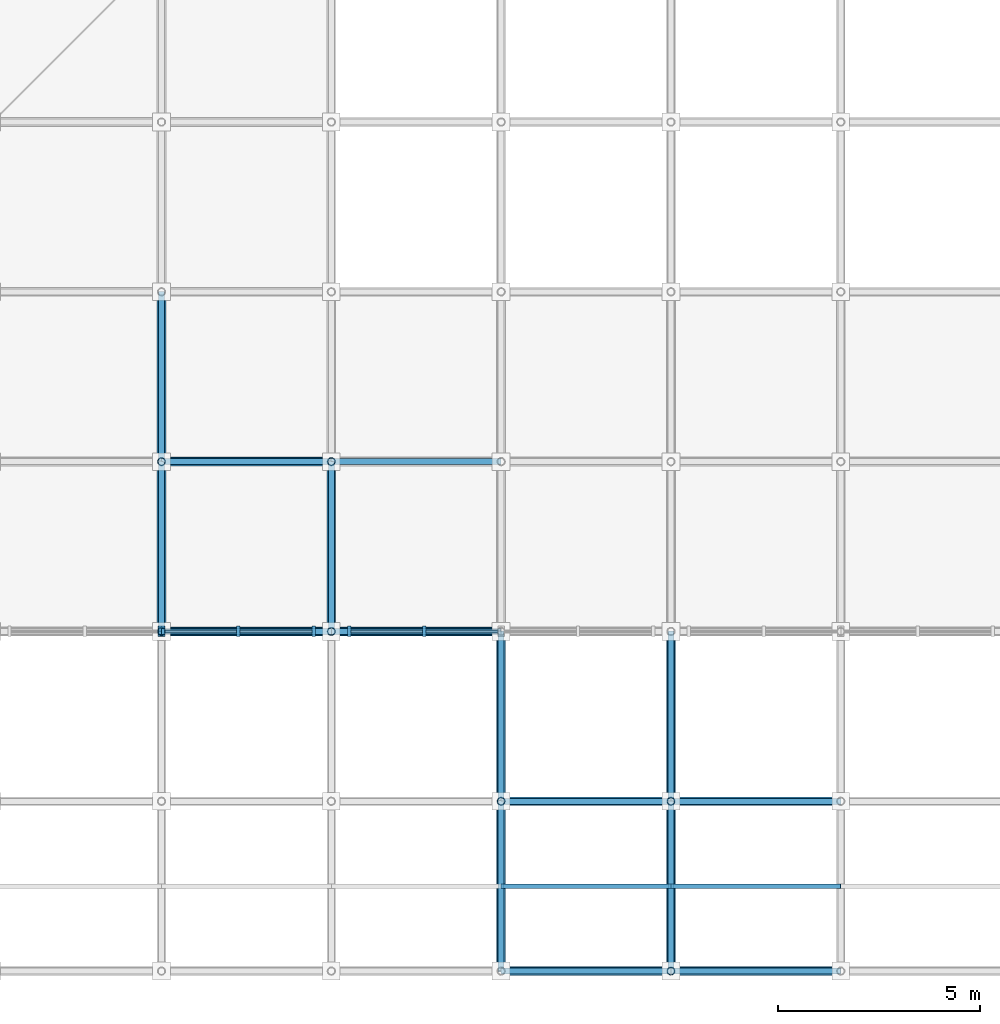
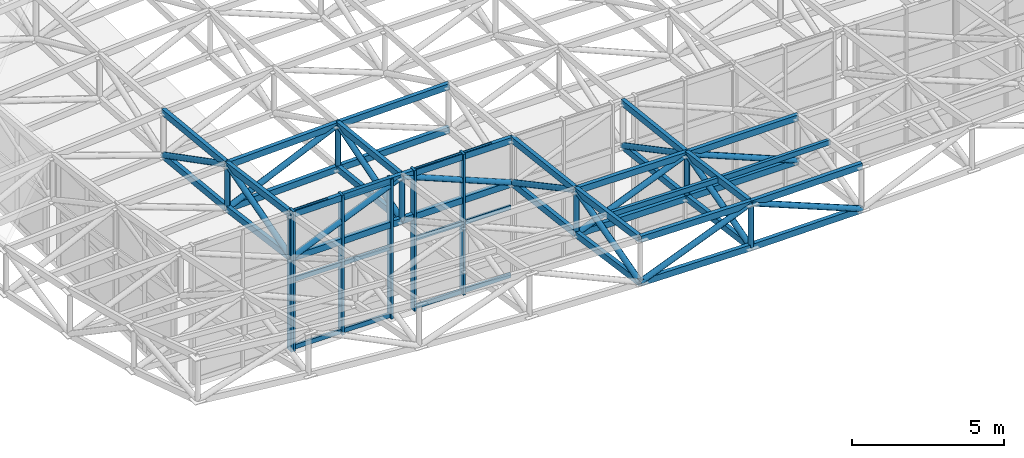
# One storey, part 15 of 132: 71 members, 3 elements without a shape of their own.
"""IFC4 building model written with IfcOpenShell, lengths in metres."""

from ifc_helpers import new_model, si_unit, direction, frame, origin, origin_2d, place, context, subcontext, project, spatial, rectangle, hollow_rectangle, hollow_circle, extrude, material, material_profile, profile_set, type_object, element, aggregate, save


model = new_model("IFC4")

# Units and contexts
model_context = context("Model", 3, precision=1e-05, world=origin(), true_north=direction((0.0, 1.0)))
body_context = subcontext(model_context, "Body", "Model", "MODEL_VIEW")
ifc_project = project(units=[si_unit("LENGTHUNIT", "METRE"), si_unit("AREAUNIT", "SQUARE_METRE"), si_unit("VOLUMEUNIT", "CUBIC_METRE"), si_unit("PLANEANGLEUNIT", "RADIAN"), si_unit("MASSUNIT", "GRAM", prefix="KILO")], contexts=[model_context])

# Site, building, storey
site_placement = place(None, origin())
site = spatial("IfcSite", under=ifc_project, at=site_placement, CompositionType="ELEMENT")
building_placement = place(site_placement, origin())
building = spatial("IfcBuilding", under=site, at=building_placement, Name="Cumbredor Promenade Congress Hotel", CompositionType="ELEMENT")
storey_placement = place(building_placement, frame((0.0, 0.0, 7.56005859375)))
storey = spatial("IfcBuildingStorey", under=building, at=storey_placement, Name="L02", CompositionType="ELEMENT", Elevation=7.56005859375)

# Curtain wall, member
ifc_material_1 = material(Name="Thermally broken anodized aluminium and low-E glass", Category="aluminium")
curtain_wall_type = type_object("IfcCurtainWallType", Name="Stepped Pavilion Clerestory Curtain Wall CW-06", PredefinedType="NOTDEFINED", material=ifc_material_1)
curtain_wall_1_placement = place(storey_placement, origin())
curtain_wall_1 = element("IfcCurtainWall", 1, at=curtain_wall_1_placement, inside=storey, type_object=curtain_wall_type, Name="Thermal Spa and Hydrotherapy Pavilion S Glazed Clerestory 1", PredefinedType="NOTDEFINED")
ifc_material_2 = material(Name="Thermally broken anodized aluminium", Category="aluminium")
ifc_material_profile_1 = material_profile(ifc_material_2, rectangle(XDim=0.0849609375, YDim=0.260009765625, at=origin_2d()), Name="ALU MULLION CLERESTORY 85x260")
ifc_profile_set_1 = profile_set([ifc_material_profile_1], Name="Thermally broken anodized aluminium")
member_type_1 = type_object("IfcMemberType", Name="Curtain Wall Mullion ML-04", PredefinedType="MULLION", material=ifc_profile_set_1)
member_1_placement = place(storey_placement, frame((79.760009765625, 8.39990234375, -0.01806640625), z_axis=(0.0, 0.0, 1.0), x_axis=(1.0, 0.0, 0.0)))
member_1 = element("IfcMember", 2, at=member_1_placement, type_object=member_type_1, Name="Thermal Spa and Hydrotherapy Pavilion S Glazed Clerestory 1 Mullion 3", PredefinedType="MULLION", context=body_context, shape_type="SweptSolid", body=[
    extrude(rectangle(XDim=0.0849609375, YDim=0.260009765625, at=origin_2d()), origin(), (0.0, 0.0, 1.0), 5.54931640625),
])
aggregate(curtain_wall_1, [member_1])

# Curtain wall, members
curtain_wall_2_placement = place(storey_placement, origin())
curtain_wall_2 = element("IfcCurtainWall", 3, at=curtain_wall_2_placement, inside=storey, type_object=curtain_wall_type, Name="Thermal Spa and Hydrotherapy Pavilion S Glazed Clerestory 2", PredefinedType="NOTDEFINED")
member_2_placement = place(storey_placement, frame((79.840087890625, 8.39990234375, -0.01806640625), z_axis=(0.0, 0.0, 1.0), x_axis=(1.0, 0.0, 0.0)))
member_2 = element("IfcMember", 4, at=member_2_placement, type_object=member_type_1, Name="Thermal Spa and Hydrotherapy Pavilion S Glazed Clerestory 2 Mullion 1", PredefinedType="MULLION", context=body_context, shape_type="SweptSolid", body=[
    extrude(rectangle(XDim=0.0849609375, YDim=0.260009765625, at=origin_2d()), origin(), (0.0, 0.0, 1.0), 5.610107421875),
])
member_3_placement = place(storey_placement, frame((81.699951171875, 8.39990234375, -0.01806640625), z_axis=(0.0, 0.0, 1.0), x_axis=(1.0, 0.0, 0.0)))
member_3 = element("IfcMember", 5, at=member_3_placement, type_object=member_type_1, Name="Thermal Spa and Hydrotherapy Pavilion S Glazed Clerestory 2 Mullion 2", PredefinedType="MULLION", context=body_context, shape_type="SweptSolid", body=[
    extrude(rectangle(XDim=0.0849609375, YDim=0.260009765625, at=origin_2d()), origin(), (0.0, 0.0, 1.0), 5.610107421875),
])
member_4_placement = place(storey_placement, frame((83.56005859375, 8.39990234375, -0.01806640625), z_axis=(0.0, 0.0, 1.0), x_axis=(1.0, 0.0, 0.0)))
member_4 = element("IfcMember", 6, at=member_4_placement, type_object=member_type_1, Name="Thermal Spa and Hydrotherapy Pavilion S Glazed Clerestory 2 Mullion 3", PredefinedType="MULLION", context=body_context, shape_type="SweptSolid", body=[
    extrude(rectangle(XDim=0.0849609375, YDim=0.260009765625, at=origin_2d()), origin(), (0.0, 0.0, 1.0), 5.610107421875),
])

curtain_wall_3_placement = place(storey_placement, origin())
curtain_wall_3 = element("IfcCurtainWall", 7, at=curtain_wall_3_placement, inside=storey, type_object=curtain_wall_type, Name="Thermal Spa and Hydrotherapy Pavilion S Glazed Clerestory 3", PredefinedType="NOTDEFINED")
member_5_placement = place(storey_placement, frame((84.43994140625, 8.39990234375, -0.01806640625), z_axis=(0.0, 0.0, 1.0), x_axis=(1.0, 0.0, 0.0)))
member_5 = element("IfcMember", 8, at=member_5_placement, type_object=member_type_1, Name="Thermal Spa and Hydrotherapy Pavilion S Glazed Clerestory 3 Mullion 1", PredefinedType="MULLION", context=body_context, shape_type="SweptSolid", body=[
    extrude(rectangle(XDim=0.0849609375, YDim=0.260009765625, at=origin_2d()), origin(), (0.0, 0.0, 1.0), 5.6533203125),
])
member_6_placement = place(storey_placement, frame((86.300048828125, 8.39990234375, -0.01806640625), z_axis=(0.0, 0.0, 1.0), x_axis=(1.0, 0.0, 0.0)))
member_6 = element("IfcMember", 9, at=member_6_placement, type_object=member_type_1, Name="Thermal Spa and Hydrotherapy Pavilion S Glazed Clerestory 3 Mullion 2", PredefinedType="MULLION", context=body_context, shape_type="SweptSolid", body=[
    extrude(rectangle(XDim=0.0849609375, YDim=0.260009765625, at=origin_2d()), origin(), (0.0, 0.0, 1.0), 5.6533203125),
])

# Member
ifc_material_profile_2 = material_profile(ifc_material_2, rectangle(XDim=0.080078125, YDim=0.179931640625, at=origin_2d()), Name="ALU TRANSOM 80x180")
ifc_profile_set_2 = profile_set([ifc_material_profile_2], Name="Thermally broken anodized aluminium")
member_type_2 = type_object("IfcMemberType", Name="Curtain Wall Transom TR-03", PredefinedType="USERDEFINED", material=ifc_profile_set_2)
member_7_placement = place(storey_placement, frame((79.882568359375, 8.39990234375, 0.079833984375), z_axis=(1.0, 0.0, 0.0), x_axis=(0.0, 1.0, 0.0)))
member_7 = element("IfcMember", 10, at=member_7_placement, type_object=member_type_2, Name="Thermal Spa and Hydrotherapy Pavilion S Glazed Clerestory 2 Transom 1.1", ObjectType="TRANSOM", PredefinedType="USERDEFINED", context=body_context, shape_type="SweptSolid", body=[
    extrude(rectangle(XDim=0.080078125, YDim=0.179931640625, at=origin_2d()), origin(), (0.0, 0.0, 1.0), 1.77490234375),
])

member_8_placement = place(storey_placement, frame((79.882568359375, 8.39990234375, 2.7900390625), z_axis=(1.0, 0.0, 0.0), x_axis=(0.0, 1.0, 0.0)))
member_8 = element("IfcMember", 11, at=member_8_placement, type_object=member_type_2, Name="Thermal Spa and Hydrotherapy Pavilion S Glazed Clerestory 2 Transom 1.2", ObjectType="TRANSOM", PredefinedType="USERDEFINED", context=body_context, shape_type="SweptSolid", body=[
    extrude(rectangle(XDim=0.080078125, YDim=0.179931640625, at=origin_2d()), origin(), (0.0, 0.0, 1.0), 1.77490234375),
])

member_9_placement = place(storey_placement, frame((79.882568359375, 8.39990234375, 5.489990234375), z_axis=(1.0, 0.0, 0.0), x_axis=(0.0, 1.0, 0.0)))
member_9 = element("IfcMember", 12, at=member_9_placement, type_object=member_type_2, Name="Thermal Spa and Hydrotherapy Pavilion S Glazed Clerestory 2 Transom 1.3", ObjectType="TRANSOM", PredefinedType="USERDEFINED", context=body_context, shape_type="SweptSolid", body=[
    extrude(rectangle(XDim=0.080078125, YDim=0.179931640625, at=origin_2d()), origin(), (0.0, 0.0, 1.0), 1.77490234375),
])

member_10_placement = place(storey_placement, frame((81.742431640625, 8.39990234375, 0.079833984375), z_axis=(1.0, 0.0, 0.0), x_axis=(0.0, 1.0, 0.0)))
member_10 = element("IfcMember", 13, at=member_10_placement, type_object=member_type_2, Name="Thermal Spa and Hydrotherapy Pavilion S Glazed Clerestory 2 Transom 2.1", ObjectType="TRANSOM", PredefinedType="USERDEFINED", context=body_context, shape_type="SweptSolid", body=[
    extrude(rectangle(XDim=0.080078125, YDim=0.179931640625, at=origin_2d()), origin(), (0.0, 0.0, 1.0), 1.775146484375),
])

member_11_placement = place(storey_placement, frame((81.742431640625, 8.39990234375, 2.7900390625), z_axis=(1.0, 0.0, 0.0), x_axis=(0.0, 1.0, 0.0)))
member_11 = element("IfcMember", 14, at=member_11_placement, type_object=member_type_2, Name="Thermal Spa and Hydrotherapy Pavilion S Glazed Clerestory 2 Transom 2.2", ObjectType="TRANSOM", PredefinedType="USERDEFINED", context=body_context, shape_type="SweptSolid", body=[
    extrude(rectangle(XDim=0.080078125, YDim=0.179931640625, at=origin_2d()), origin(), (0.0, 0.0, 1.0), 1.775146484375),
])

member_12_placement = place(storey_placement, frame((81.742431640625, 8.39990234375, 5.489990234375), z_axis=(1.0, 0.0, 0.0), x_axis=(0.0, 1.0, 0.0)))
member_12 = element("IfcMember", 15, at=member_12_placement, type_object=member_type_2, Name="Thermal Spa and Hydrotherapy Pavilion S Glazed Clerestory 2 Transom 2.3", ObjectType="TRANSOM", PredefinedType="USERDEFINED", context=body_context, shape_type="SweptSolid", body=[
    extrude(rectangle(XDim=0.080078125, YDim=0.179931640625, at=origin_2d()), origin(), (0.0, 0.0, 1.0), 1.775146484375),
])

aggregate(curtain_wall_2, [member_2, member_3, member_4, member_7, member_8, member_9, member_10, member_11, member_12])

member_13_placement = place(storey_placement, frame((84.482421875, 8.39990234375, 0.079833984375), z_axis=(1.0, 0.0, 0.0), x_axis=(0.0, 1.0, 0.0)))
member_13 = element("IfcMember", 16, at=member_13_placement, type_object=member_type_2, Name="Thermal Spa and Hydrotherapy Pavilion S Glazed Clerestory 3 Transom 1.1", ObjectType="TRANSOM", PredefinedType="USERDEFINED", context=body_context, shape_type="SweptSolid", body=[
    extrude(rectangle(XDim=0.080078125, YDim=0.179931640625, at=origin_2d()), origin(), (0.0, 0.0, 1.0), 1.775146484375),
])

member_14_placement = place(storey_placement, frame((84.482421875, 8.39990234375, 2.81005859375), z_axis=(1.0, 0.0, 0.0), x_axis=(0.0, 1.0, 0.0)))
member_14 = element("IfcMember", 17, at=member_14_placement, type_object=member_type_2, Name="Thermal Spa and Hydrotherapy Pavilion S Glazed Clerestory 3 Transom 1.2", ObjectType="TRANSOM", PredefinedType="USERDEFINED", context=body_context, shape_type="SweptSolid", body=[
    extrude(rectangle(XDim=0.080078125, YDim=0.179931640625, at=origin_2d()), origin(), (0.0, 0.0, 1.0), 1.775146484375),
])

member_15_placement = place(storey_placement, frame((84.482421875, 8.39990234375, 5.5400390625), z_axis=(1.0, 0.0, 0.0), x_axis=(0.0, 1.0, 0.0)))
member_15 = element("IfcMember", 18, at=member_15_placement, type_object=member_type_2, Name="Thermal Spa and Hydrotherapy Pavilion S Glazed Clerestory 3 Transom 1.3", ObjectType="TRANSOM", PredefinedType="USERDEFINED", context=body_context, shape_type="SweptSolid", body=[
    extrude(rectangle(XDim=0.080078125, YDim=0.179931640625, at=origin_2d()), origin(), (0.0, 0.0, 1.0), 1.775146484375),
])

member_16_placement = place(storey_placement, frame((86.342529296875, 8.39990234375, 0.079833984375), z_axis=(1.0, 0.0, 0.0), x_axis=(0.0, 1.0, 0.0)))
member_16 = element("IfcMember", 19, at=member_16_placement, type_object=member_type_2, Name="Thermal Spa and Hydrotherapy Pavilion S Glazed Clerestory 3 Transom 2.1", ObjectType="TRANSOM", PredefinedType="USERDEFINED", context=body_context, shape_type="SweptSolid", body=[
    extrude(rectangle(XDim=0.080078125, YDim=0.179931640625, at=origin_2d()), origin(), (0.0, 0.0, 1.0), 1.77490234375),
])

member_17_placement = place(storey_placement, frame((86.342529296875, 8.39990234375, 2.81005859375), z_axis=(1.0, 0.0, 0.0), x_axis=(0.0, 1.0, 0.0)))
member_17 = element("IfcMember", 20, at=member_17_placement, type_object=member_type_2, Name="Thermal Spa and Hydrotherapy Pavilion S Glazed Clerestory 3 Transom 2.2", ObjectType="TRANSOM", PredefinedType="USERDEFINED", context=body_context, shape_type="SweptSolid", body=[
    extrude(rectangle(XDim=0.080078125, YDim=0.179931640625, at=origin_2d()), origin(), (0.0, 0.0, 1.0), 1.77490234375),
])

member_18_placement = place(storey_placement, frame((86.342529296875, 8.39990234375, 5.5400390625), z_axis=(1.0, 0.0, 0.0), x_axis=(0.0, 1.0, 0.0)))
member_18 = element("IfcMember", 21, at=member_18_placement, type_object=member_type_2, Name="Thermal Spa and Hydrotherapy Pavilion S Glazed Clerestory 3 Transom 2.3", ObjectType="TRANSOM", PredefinedType="USERDEFINED", context=body_context, shape_type="SweptSolid", body=[
    extrude(rectangle(XDim=0.080078125, YDim=0.179931640625, at=origin_2d()), origin(), (0.0, 0.0, 1.0), 1.77490234375),
])

aggregate(curtain_wall_3, [member_5, member_6, member_13, member_14, member_15, member_16, member_17, member_18])

# Members
ifc_material_3 = material(Name="Steel ASTM A500 Grade C", Category="steel")
ifc_material_profile_3 = material_profile(ifc_material_3, hollow_rectangle(XDim=0.1201171875, YDim=0.199951171875, WallThickness=0.010009765625, at=origin_2d()), Name="HSS 200x120x10")
ifc_profile_set_3 = profile_set([ifc_material_profile_3], Name="Steel ASTM A500 Grade C")
member_type_3 = type_object("IfcMemberType", Name="Roof Purlin HSS200x120", PredefinedType="PURLIN", material=ifc_profile_set_3)
member_19_placement = place(storey_placement, frame((88.199951171875, 2.10009765625, 6.28759765625), z_axis=(0.999971007522, 0.0, -0.007614730104), x_axis=(0.0, 1.0, 0.0)))
element("IfcMember", 22, at=member_19_placement, inside=storey, type_object=member_type_3, Name="Thermal Spa and Hydrotherapy Pavilion Roof Eave Purlin 5.1", PredefinedType="PURLIN", context=body_context, shape_type="SweptSolid", body=[
    extrude(hollow_rectangle(XDim=0.1201171875, YDim=0.199951171875, WallThickness=0.010009765625, at=origin_2d()), origin(), (0.0, 0.0, 1.0), 4.199951171875),
])
member_20_placement = place(storey_placement, frame((92.39990234375, 2.10009765625, 6.255615234375), z_axis=(0.999971010893, 0.0, 0.007614287516), x_axis=(0.0, 1.0, 0.0)))
element("IfcMember", 23, at=member_20_placement, inside=storey, type_object=member_type_3, Name="Thermal Spa and Hydrotherapy Pavilion Roof Eave Purlin 6.1", PredefinedType="PURLIN", context=body_context, shape_type="SweptSolid", body=[
    extrude(hollow_rectangle(XDim=0.1201171875, YDim=0.199951171875, WallThickness=0.010009765625, at=origin_2d()), origin(), (0.0, 0.0, 1.0), 4.2001953125),
])
ifc_material_profile_4 = material_profile(ifc_material_3, hollow_rectangle(XDim=0.14990234375, YDim=0.25, WallThickness=0.012451171875, at=origin_2d()), Name="HSS 250x150x12.5")
ifc_profile_set_4 = profile_set([ifc_material_profile_4], Name="Steel ASTM A500 Grade C")
member_type_4 = type_object("IfcMemberType", Name="Spa Roof Space Frame Chord", PredefinedType="CHORD", material=ifc_profile_set_4)
for number, where, z_axis, x_axis, name in (
    (24, (88.199951171875, 0.0, 6.607421875), (0.999935762445, 0.0, -0.011334504079), (0.0, 1.0, 0.0), "Thermal Spa and Hydrotherapy Pavilion X Top Chord 5.1"),
    (25, (88.199951171875, 0.0, 4.857421875), (0.999935762445, 0.0, -0.011334504079), (0.0, 1.0, 0.0), "Thermal Spa and Hydrotherapy Pavilion X Bottom Chord 5.1"),
):
    element("IfcMember", number, at=place(storey_placement, frame(where, z_axis=z_axis, x_axis=x_axis)), inside=storey, type_object=member_type_4, Name=name, PredefinedType="CHORD", context=body_context, shape_type="SweptSolid", body=[
        extrude(hollow_rectangle(XDim=0.14990234375, YDim=0.25, WallThickness=0.012451171875, at=origin_2d()), origin(), (0.0, 0.0, 1.0), 4.2001953125),
    ])
for number, where, z_axis, x_axis, name in (
    (26, (92.39990234375, 0.0, 6.559814453125), (0.999935769912, 0.0, 0.011333845334), (0.0, 1.0, 0.0), "Thermal Spa and Hydrotherapy Pavilion X Top Chord 6.1"),
    (27, (92.39990234375, 0.0, 4.809814453125), (0.999935769912, 0.0, 0.011333845334), (0.0, 1.0, 0.0), "Thermal Spa and Hydrotherapy Pavilion X Bottom Chord 6.1"),
):
    element("IfcMember", number, at=place(storey_placement, frame(where, z_axis=z_axis, x_axis=x_axis)), inside=storey, type_object=member_type_4, Name=name, PredefinedType="CHORD", context=body_context, shape_type="SweptSolid", body=[
        extrude(hollow_rectangle(XDim=0.14990234375, YDim=0.25, WallThickness=0.012451171875, at=origin_2d()), origin(), (0.0, 0.0, 1.0), 4.200439453125),
    ])
for number, where, z_axis, x_axis, name in (
    (28, (88.199951171875, 4.199951171875, 6.008056640625), (0.999992187782, 0.0, -0.00395276805), (0.0, 1.0, 0.0), "Thermal Spa and Hydrotherapy Pavilion X Top Chord 5.2"),
    (29, (88.199951171875, 4.199951171875, 4.258056640625), (0.999992187782, 0.0, -0.00395276805), (0.0, 1.0, 0.0), "Thermal Spa and Hydrotherapy Pavilion X Bottom Chord 5.2"),
):
    element("IfcMember", number, at=place(storey_placement, frame(where, z_axis=z_axis, x_axis=x_axis)), inside=storey, type_object=member_type_4, Name=name, PredefinedType="CHORD", context=body_context, shape_type="SweptSolid", body=[
        extrude(hollow_rectangle(XDim=0.14990234375, YDim=0.25, WallThickness=0.012451171875, at=origin_2d()), origin(), (0.0, 0.0, 1.0), 4.199951171875),
    ])
for number, where, z_axis, x_axis, name in (
    (30, (92.39990234375, 4.199951171875, 5.991455078125), (0.99999218869, 0.0, 0.003952538295), (0.0, 1.0, 0.0), "Thermal Spa and Hydrotherapy Pavilion X Top Chord 6.2"),
    (31, (92.39990234375, 4.199951171875, 4.241455078125), (0.99999218869, 0.0, 0.003952538295), (0.0, 1.0, 0.0), "Thermal Spa and Hydrotherapy Pavilion X Bottom Chord 6.2"),
    (32, (79.800048828125, 8.39990234375, 5.44091796875), (0.999947073439, 0.0, 0.010288358542), (0.0, 1.0, 0.0), "Thermal Spa and Hydrotherapy Pavilion X Top Chord 3.3"),
    (33, (79.800048828125, 8.39990234375, 3.69091796875), (0.999947073439, 0.0, 0.010288358542), (0.0, 1.0, 0.0), "Thermal Spa and Hydrotherapy Pavilion X Bottom Chord 3.3"),
):
    element("IfcMember", number, at=place(storey_placement, frame(where, z_axis=z_axis, x_axis=x_axis)), inside=storey, type_object=member_type_4, Name=name, PredefinedType="CHORD", context=body_context, shape_type="SweptSolid", body=[
        extrude(hollow_rectangle(XDim=0.14990234375, YDim=0.25, WallThickness=0.012451171875, at=origin_2d()), origin(), (0.0, 0.0, 1.0), 4.2001953125),
    ])
for number, where, z_axis, x_axis, name in (
    (34, (84.0, 8.39990234375, 5.484130859375), (0.999981017169, 0.0, 0.006161599013), (0.0, 1.0, 0.0), "Thermal Spa and Hydrotherapy Pavilion X Top Chord 4.3"),
    (35, (84.0, 8.39990234375, 3.734130859375), (0.999981017169, 0.0, 0.006161599013), (0.0, 1.0, 0.0), "Thermal Spa and Hydrotherapy Pavilion X Bottom Chord 4.3"),
):
    element("IfcMember", number, at=place(storey_placement, frame(where, z_axis=z_axis, x_axis=x_axis)), inside=storey, type_object=member_type_4, Name=name, PredefinedType="CHORD", context=body_context, shape_type="SweptSolid", body=[
        extrude(hollow_rectangle(XDim=0.14990234375, YDim=0.25, WallThickness=0.012451171875, at=origin_2d()), origin(), (0.0, 0.0, 1.0), 4.199951171875),
    ])
for number, where, z_axis, x_axis, name in (
    (36, (79.800048828125, 12.60009765625, 4.8798828125), (0.999406413259, 0.0, 0.03445027048), (0.0, 1.0, 0.0), "Thermal Spa and Hydrotherapy Pavilion X Top Chord 3.4"),
    (37, (79.800048828125, 12.60009765625, 3.1298828125), (0.999406413259, 0.0, 0.03445027048), (0.0, 1.0, 0.0), "Thermal Spa and Hydrotherapy Pavilion X Bottom Chord 3.4"),
):
    element("IfcMember", number, at=place(storey_placement, frame(where, z_axis=z_axis, x_axis=x_axis)), inside=storey, type_object=member_type_4, Name=name, PredefinedType="CHORD", context=body_context, shape_type="SweptSolid", body=[
        extrude(hollow_rectangle(XDim=0.14990234375, YDim=0.25, WallThickness=0.012451171875, at=origin_2d()), origin(), (0.0, 0.0, 1.0), 4.202392578125),
    ])
for number, where, z_axis, x_axis, name in (
    (38, (84.0, 12.60009765625, 5.024658203125), (0.999785946585, 0.0, 0.020689635353), (0.0, 1.0, 0.0), "Thermal Spa and Hydrotherapy Pavilion X Top Chord 4.4"),
    (39, (84.0, 12.60009765625, 3.274658203125), (0.999785946585, 0.0, 0.020689635353), (0.0, 1.0, 0.0), "Thermal Spa and Hydrotherapy Pavilion X Bottom Chord 4.4"),
):
    element("IfcMember", number, at=place(storey_placement, frame(where, z_axis=z_axis, x_axis=x_axis)), inside=storey, type_object=member_type_4, Name=name, PredefinedType="CHORD", context=body_context, shape_type="SweptSolid", body=[
        extrude(hollow_rectangle(XDim=0.14990234375, YDim=0.25, WallThickness=0.012451171875, at=origin_2d()), origin(), (0.0, 0.0, 1.0), 4.200927734375),
    ])
for number, where, z_axis, x_axis, name in (
    (40, (79.800048828125, 8.39990234375, 5.44091796875), (0.0, 0.991196675796, -0.132397695942), (-1.0, 0.0, 0.0), "Thermal Spa and Hydrotherapy Pavilion Y Top Chord 3.3"),
    (41, (79.800048828125, 8.39990234375, 3.69091796875), (0.0, 0.991196675796, -0.132397695942), (-1.0, 0.0, 0.0), "Thermal Spa and Hydrotherapy Pavilion Y Bottom Chord 3.3"),
):
    element("IfcMember", number, at=place(storey_placement, frame(where, z_axis=z_axis, x_axis=x_axis)), inside=storey, type_object=member_type_4, Name=name, PredefinedType="CHORD", context=body_context, shape_type="SweptSolid", body=[
        extrude(hollow_rectangle(XDim=0.14990234375, YDim=0.25, WallThickness=0.012451171875, at=origin_2d()), origin(), (0.0, 0.0, 1.0), 4.237548828125),
    ])
for number, where, z_axis, x_axis, name in (
    (42, (79.800048828125, 12.60009765625, 4.8798828125), (0.0, 0.995015978857, -0.099715604694), (-1.0, 0.0, 0.0), "Thermal Spa and Hydrotherapy Pavilion Y Top Chord 3.4"),
    (43, (79.800048828125, 12.60009765625, 3.1298828125), (0.0, 0.995015978857, -0.099715604694), (-1.0, 0.0, 0.0), "Thermal Spa and Hydrotherapy Pavilion Y Bottom Chord 3.4"),
):
    element("IfcMember", number, at=place(storey_placement, frame(where, z_axis=z_axis, x_axis=x_axis)), inside=storey, type_object=member_type_4, Name=name, PredefinedType="CHORD", context=body_context, shape_type="SweptSolid", body=[
        extrude(hollow_rectangle(XDim=0.14990234375, YDim=0.25, WallThickness=0.012451171875, at=origin_2d()), origin(), (0.0, 0.0, 1.0), 4.220947265625),
    ])
for number, where, z_axis, x_axis, name in (
    (44, (84.0, 8.39990234375, 5.484130859375), (0.0, 0.994069739994, -0.108744434473), (-1.0, 0.0, 0.0), "Thermal Spa and Hydrotherapy Pavilion Y Top Chord 4.3"),
    (45, (84.0, 8.39990234375, 3.734130859375), (0.0, 0.994069739994, -0.108744434473), (-1.0, 0.0, 0.0), "Thermal Spa and Hydrotherapy Pavilion Y Bottom Chord 4.3"),
):
    element("IfcMember", number, at=place(storey_placement, frame(where, z_axis=z_axis, x_axis=x_axis)), inside=storey, type_object=member_type_4, Name=name, PredefinedType="CHORD", context=body_context, shape_type="SweptSolid", body=[
        extrude(hollow_rectangle(XDim=0.14990234375, YDim=0.25, WallThickness=0.012451171875, at=origin_2d()), origin(), (0.0, 0.0, 1.0), 4.225341796875),
    ])
for number, where, z_axis, x_axis, name in (
    (46, (88.199951171875, 0.0, 6.607421875), (0.0, 0.989970199733, -0.141276337868), (-1.0, 0.0, 0.0), "Thermal Spa and Hydrotherapy Pavilion Y Top Chord 5.1"),
    (47, (88.199951171875, 0.0, 4.857421875), (0.0, 0.989970199733, -0.141276337868), (-1.0, 0.0, 0.0), "Thermal Spa and Hydrotherapy Pavilion Y Bottom Chord 5.1"),
):
    element("IfcMember", number, at=place(storey_placement, frame(where, z_axis=z_axis, x_axis=x_axis)), inside=storey, type_object=member_type_4, Name=name, PredefinedType="CHORD", context=body_context, shape_type="SweptSolid", body=[
        extrude(hollow_rectangle(XDim=0.14990234375, YDim=0.25, WallThickness=0.012451171875, at=origin_2d()), origin(), (0.0, 0.0, 1.0), 4.242431640625),
    ])
for number, where, z_axis, x_axis, name in (
    (48, (88.199951171875, 4.199951171875, 6.008056640625), (0.0, 0.993042216965, -0.117758886392), (-1.0, 0.0, 0.0), "Thermal Spa and Hydrotherapy Pavilion Y Top Chord 5.2"),
    (49, (88.199951171875, 4.199951171875, 4.258056640625), (0.0, 0.993042216965, -0.117758886392), (-1.0, 0.0, 0.0), "Thermal Spa and Hydrotherapy Pavilion Y Bottom Chord 5.2"),
):
    element("IfcMember", number, at=place(storey_placement, frame(where, z_axis=z_axis, x_axis=x_axis)), inside=storey, type_object=member_type_4, Name=name, PredefinedType="CHORD", context=body_context, shape_type="SweptSolid", body=[
        extrude(hollow_rectangle(XDim=0.14990234375, YDim=0.25, WallThickness=0.012451171875, at=origin_2d()), origin(), (0.0, 0.0, 1.0), 4.2294921875),
    ])
for number, where, z_axis, x_axis, name in (
    (50, (92.39990234375, 0.0, 6.559814453125), (0.0, 0.990967412694, -0.13410289698), (-1.0, 0.0, 0.0), "Thermal Spa and Hydrotherapy Pavilion Y Top Chord 6.1"),
    (51, (92.39990234375, 0.0, 4.809814453125), (0.0, 0.990967412694, -0.13410289698), (-1.0, 0.0, 0.0), "Thermal Spa and Hydrotherapy Pavilion Y Bottom Chord 6.1"),
):
    element("IfcMember", number, at=place(storey_placement, frame(where, z_axis=z_axis, x_axis=x_axis)), inside=storey, type_object=member_type_4, Name=name, PredefinedType="CHORD", context=body_context, shape_type="SweptSolid", body=[
        extrude(hollow_rectangle(XDim=0.14990234375, YDim=0.25, WallThickness=0.012451171875, at=origin_2d()), origin(), (0.0, 0.0, 1.0), 4.23828125),
    ])
for number, where, z_axis, x_axis, name in (
    (52, (92.39990234375, 4.199951171875, 5.991455078125), (0.0, 0.993727063969, -0.111832563846), (-1.0, 0.0, 0.0), "Thermal Spa and Hydrotherapy Pavilion Y Top Chord 6.2"),
    (53, (92.39990234375, 4.199951171875, 4.241455078125), (0.0, 0.993727063969, -0.111832563846), (-1.0, 0.0, 0.0), "Thermal Spa and Hydrotherapy Pavilion Y Bottom Chord 6.2"),
):
    element("IfcMember", number, at=place(storey_placement, frame(where, z_axis=z_axis, x_axis=x_axis)), inside=storey, type_object=member_type_4, Name=name, PredefinedType="CHORD", context=body_context, shape_type="SweptSolid", body=[
        extrude(hollow_rectangle(XDim=0.14990234375, YDim=0.25, WallThickness=0.012451171875, at=origin_2d()), origin(), (0.0, 0.0, 1.0), 4.2265625),
    ])
ifc_material_profile_5 = material_profile(ifc_material_3, hollow_circle(Radius=0.109619140625, WallThickness=0.012451171875, at=origin_2d()), Name="CHS 219.1x12.5")
ifc_profile_set_5 = profile_set([ifc_material_profile_5], Name="Steel ASTM A500 Grade C")
member_type_5 = type_object("IfcMemberType", Name="Space Frame Web Diagonal D1", PredefinedType="BRACE", material=ifc_profile_set_5)
member_21_placement = place(storey_placement, frame((88.199951171875, 0.0, 4.857421875), z_axis=(0.926761572474, 0.0, 0.375650086896), x_axis=(0.0, 1.0, 0.0)))
element("IfcMember", 54, at=member_21_placement, inside=storey, type_object=member_type_5, Name="Thermal Spa and Hydrotherapy Pavilion X Web Diagonal 5.1", PredefinedType="BRACE", context=body_context, shape_type="SweptSolid", body=[
    extrude(hollow_circle(Radius=0.109619140625, WallThickness=0.012451171875, at=origin_2d()), origin(), (0.0, 0.0, 1.0), 4.53173828125),
])
member_22_placement = place(storey_placement, frame((92.39990234375, 0.0, 6.559814453125), z_axis=(0.926769173957, 0.0, -0.37563133283), x_axis=(0.0, 1.0, 0.0)))
element("IfcMember", 55, at=member_22_placement, inside=storey, type_object=member_type_5, Name="Thermal Spa and Hydrotherapy Pavilion X Web Diagonal 6.1", PredefinedType="BRACE", context=body_context, shape_type="SweptSolid", body=[
    extrude(hollow_circle(Radius=0.109619140625, WallThickness=0.012451171875, at=origin_2d()), origin(), (0.0, 0.0, 1.0), 4.531982421875),
])
for number, where, z_axis, x_axis, name in (
    (56, (88.199951171875, 4.199951171875, 4.258056640625), (0.924367316555, 0.0, 0.381503688167), (0.0, 1.0, 0.0), "Thermal Spa and Hydrotherapy Pavilion X Web Diagonal 5.2"),
    (57, (92.39990234375, 4.199951171875, 5.991455078125), (0.924375136533, 0.0, -0.381484740141), (0.0, 1.0, 0.0), "Thermal Spa and Hydrotherapy Pavilion X Web Diagonal 6.2"),
):
    element("IfcMember", number, at=place(storey_placement, frame(where, z_axis=z_axis, x_axis=x_axis)), inside=storey, type_object=member_type_5, Name=name, PredefinedType="BRACE", context=body_context, shape_type="SweptSolid", body=[
        extrude(hollow_circle(Radius=0.109619140625, WallThickness=0.012451171875, at=origin_2d()), origin(), (0.0, 0.0, 1.0), 4.543701171875),
    ])
member_23_placement = place(storey_placement, frame((79.800048828125, 8.39990234375, 3.69091796875), z_axis=(0.91968062597, 0.0, 0.392667220703), x_axis=(0.0, 1.0, 0.0)))
element("IfcMember", 58, at=member_23_placement, inside=storey, type_object=member_type_5, Name="Thermal Spa and Hydrotherapy Pavilion X Web Diagonal 3.3", PredefinedType="BRACE", context=body_context, shape_type="SweptSolid", body=[
    extrude(hollow_circle(Radius=0.109619140625, WallThickness=0.012451171875, at=origin_2d()), origin(), (0.0, 0.0, 1.0), 4.566650390625),
])
member_24_placement = place(storey_placement, frame((84.0, 8.39990234375, 5.484130859375), z_axis=(0.925086285307, 0.0, -0.379756981157), x_axis=(0.0, 1.0, 0.0)))
element("IfcMember", 59, at=member_24_placement, inside=storey, type_object=member_type_5, Name="Thermal Spa and Hydrotherapy Pavilion X Web Diagonal 4.3", PredefinedType="BRACE", context=body_context, shape_type="SweptSolid", body=[
    extrude(hollow_circle(Radius=0.109619140625, WallThickness=0.012451171875, at=origin_2d()), origin(), (0.0, 0.0, 1.0), 4.5400390625),
])
member_25_placement = place(storey_placement, frame((79.800048828125, 12.60009765625, 3.1298828125), z_axis=(0.911531459571, 0.0, 0.411230346901), x_axis=(0.0, 1.0, 0.0)))
element("IfcMember", 60, at=member_25_placement, inside=storey, type_object=member_type_5, Name="Thermal Spa and Hydrotherapy Pavilion X Web Diagonal 3.4", PredefinedType="BRACE", context=body_context, shape_type="SweptSolid", body=[
    extrude(hollow_circle(Radius=0.109619140625, WallThickness=0.012451171875, at=origin_2d()), origin(), (0.0, 0.0, 1.0), 4.607666015625),
])
member_26_placement = place(storey_placement, frame((79.800048828125, 8.39990234375, 3.69091796875), z_axis=(0.0, 0.962192219172, 0.272371315239), x_axis=(-1.0, 0.0, 0.0)))
element("IfcMember", 61, at=member_26_placement, inside=storey, type_object=member_type_5, Name="Thermal Spa and Hydrotherapy Pavilion Y Web Diagonal 3.3", PredefinedType="BRACE", context=body_context, shape_type="SweptSolid", body=[
    extrude(hollow_circle(Radius=0.109619140625, WallThickness=0.012451171875, at=origin_2d()), origin(), (0.0, 0.0, 1.0), 4.365234375),
])
member_27_placement = place(storey_placement, frame((79.800048828125, 12.60009765625, 4.8798828125), z_axis=(0.0, 0.888346221506, -0.459174248772), x_axis=(-1.0, 0.0, 0.0)))
element("IfcMember", 62, at=member_27_placement, inside=storey, type_object=member_type_5, Name="Thermal Spa and Hydrotherapy Pavilion Y Web Diagonal 3.4", PredefinedType="BRACE", context=body_context, shape_type="SweptSolid", body=[
    extrude(hollow_circle(Radius=0.109619140625, WallThickness=0.012451171875, at=origin_2d()), origin(), (0.0, 0.0, 1.0), 4.727783203125),
])
member_28_placement = place(storey_placement, frame((84.0, 8.39990234375, 3.734130859375), z_axis=(0.0, 0.955896664492, 0.2937031951), x_axis=(-1.0, 0.0, 0.0)))
element("IfcMember", 63, at=member_28_placement, inside=storey, type_object=member_type_5, Name="Thermal Spa and Hydrotherapy Pavilion Y Web Diagonal 4.3", PredefinedType="BRACE", context=body_context, shape_type="SweptSolid", body=[
    extrude(hollow_circle(Radius=0.109619140625, WallThickness=0.012451171875, at=origin_2d()), origin(), (0.0, 0.0, 1.0), 4.39404296875),
])
member_29_placement = place(storey_placement, frame((88.199951171875, 0.0, 4.857421875), z_axis=(0.0, 0.964460439706, 0.264227288981), x_axis=(-1.0, 0.0, 0.0)))
element("IfcMember", 64, at=member_29_placement, inside=storey, type_object=member_type_5, Name="Thermal Spa and Hydrotherapy Pavilion Y Web Diagonal 5.1", PredefinedType="BRACE", context=body_context, shape_type="SweptSolid", body=[
    extrude(hollow_circle(Radius=0.109619140625, WallThickness=0.012451171875, at=origin_2d()), origin(), (0.0, 0.0, 1.0), 4.354736328125),
])
member_30_placement = place(storey_placement, frame((88.199951171875, 4.199951171875, 6.008056640625), z_axis=(0.0, 0.881648291296, -0.471907078199), x_axis=(-1.0, 0.0, 0.0)))
element("IfcMember", 65, at=member_30_placement, inside=storey, type_object=member_type_5, Name="Thermal Spa and Hydrotherapy Pavilion Y Web Diagonal 5.2", PredefinedType="BRACE", context=body_context, shape_type="SweptSolid", body=[
    extrude(hollow_circle(Radius=0.109619140625, WallThickness=0.012451171875, at=origin_2d()), origin(), (0.0, 0.0, 1.0), 4.763671875),
])
member_31_placement = place(storey_placement, frame((92.39990234375, 0.0, 4.809814453125), z_axis=(0.0, 0.962626781166, 0.270831460841), x_axis=(-1.0, 0.0, 0.0)))
element("IfcMember", 66, at=member_31_placement, inside=storey, type_object=member_type_5, Name="Thermal Spa and Hydrotherapy Pavilion Y Web Diagonal 6.1", PredefinedType="BRACE", context=body_context, shape_type="SweptSolid", body=[
    extrude(hollow_circle(Radius=0.109619140625, WallThickness=0.012451171875, at=origin_2d()), origin(), (0.0, 0.0, 1.0), 4.363037109375),
])
member_32_placement = place(storey_placement, frame((92.39990234375, 4.199951171875, 5.991455078125), z_axis=(0.0, 0.883861640238, -0.467748437641), x_axis=(-1.0, 0.0, 0.0)))
element("IfcMember", 67, at=member_32_placement, inside=storey, type_object=member_type_5, Name="Thermal Spa and Hydrotherapy Pavilion Y Web Diagonal 6.2", PredefinedType="BRACE", context=body_context, shape_type="SweptSolid", body=[
    extrude(hollow_circle(Radius=0.109619140625, WallThickness=0.012451171875, at=origin_2d()), origin(), (0.0, 0.0, 1.0), 4.751708984375),
])
ifc_material_profile_6 = material_profile(ifc_material_3, hollow_circle(Radius=0.096923828125, WallThickness=0.010009765625, at=origin_2d()), Name="CHS 193.7x10")
ifc_profile_set_6 = profile_set([ifc_material_profile_6], Name="Steel ASTM A500 Grade C")
member_type_6 = type_object("IfcMemberType", Name="Space Frame Web Post P1", PredefinedType="BRACE", material=ifc_profile_set_6)
for number, where, z_axis, x_axis, name in (
    (68, (79.800048828125, 8.39990234375, 3.69091796875), (0.0, 0.0, 1.0), (1.0, 0.0, 0.0), "Thermal Spa and Hydrotherapy Pavilion Space Frame Web Post 3.3"),
    (69, (79.800048828125, 12.60009765625, 3.1298828125), (0.0, 0.0, 1.0), (1.0, 0.0, 0.0), "Thermal Spa and Hydrotherapy Pavilion Space Frame Web Post 3.4"),
    (70, (84.0, 8.39990234375, 3.734130859375), (0.0, 0.0, 1.0), (1.0, 0.0, 0.0), "Thermal Spa and Hydrotherapy Pavilion Space Frame Web Post 4.3"),
    (71, (84.0, 12.60009765625, 3.274658203125), (0.0, 0.0, 1.0), (1.0, 0.0, 0.0), "Thermal Spa and Hydrotherapy Pavilion Space Frame Web Post 4.4"),
    (72, (88.199951171875, 4.199951171875, 4.258056640625), (0.0, 0.0, 1.0), (1.0, 0.0, 0.0), "Thermal Spa and Hydrotherapy Pavilion Space Frame Web Post 5.2"),
    (73, (92.39990234375, 0.0, 4.809814453125), (0.0, 0.0, 1.0), (1.0, 0.0, 0.0), "Thermal Spa and Hydrotherapy Pavilion Space Frame Web Post 6.1"),
    (74, (92.39990234375, 4.199951171875, 4.241455078125), (0.0, 0.0, 1.0), (1.0, 0.0, 0.0), "Thermal Spa and Hydrotherapy Pavilion Space Frame Web Post 6.2"),
):
    element("IfcMember", number, at=place(storey_placement, frame(where, z_axis=z_axis, x_axis=x_axis)), inside=storey, type_object=member_type_6, Name=name, PredefinedType="BRACE", context=body_context, shape_type="SweptSolid", body=[
        extrude(hollow_circle(Radius=0.096923828125, WallThickness=0.010009765625, at=origin_2d()), origin(), (0.0, 0.0, 1.0), 1.75),
    ])

save(model, "model.ifc")
